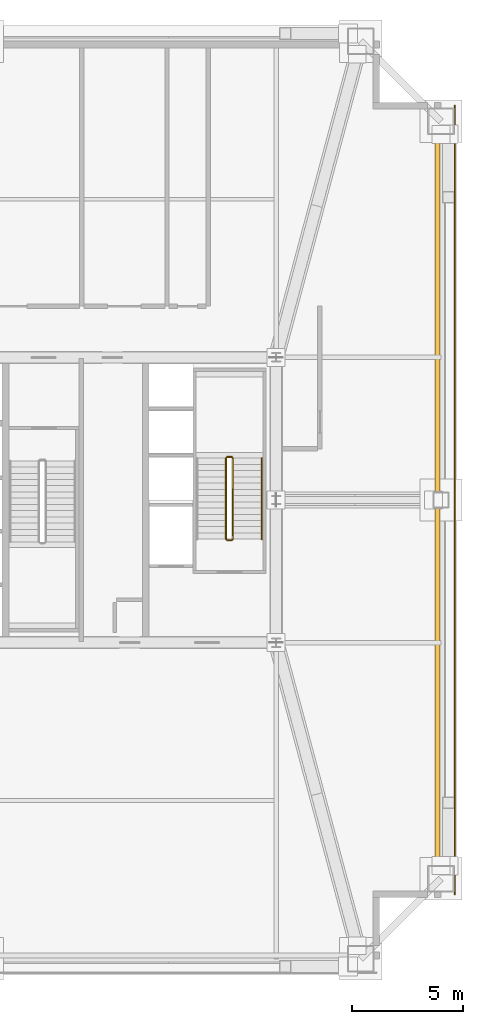
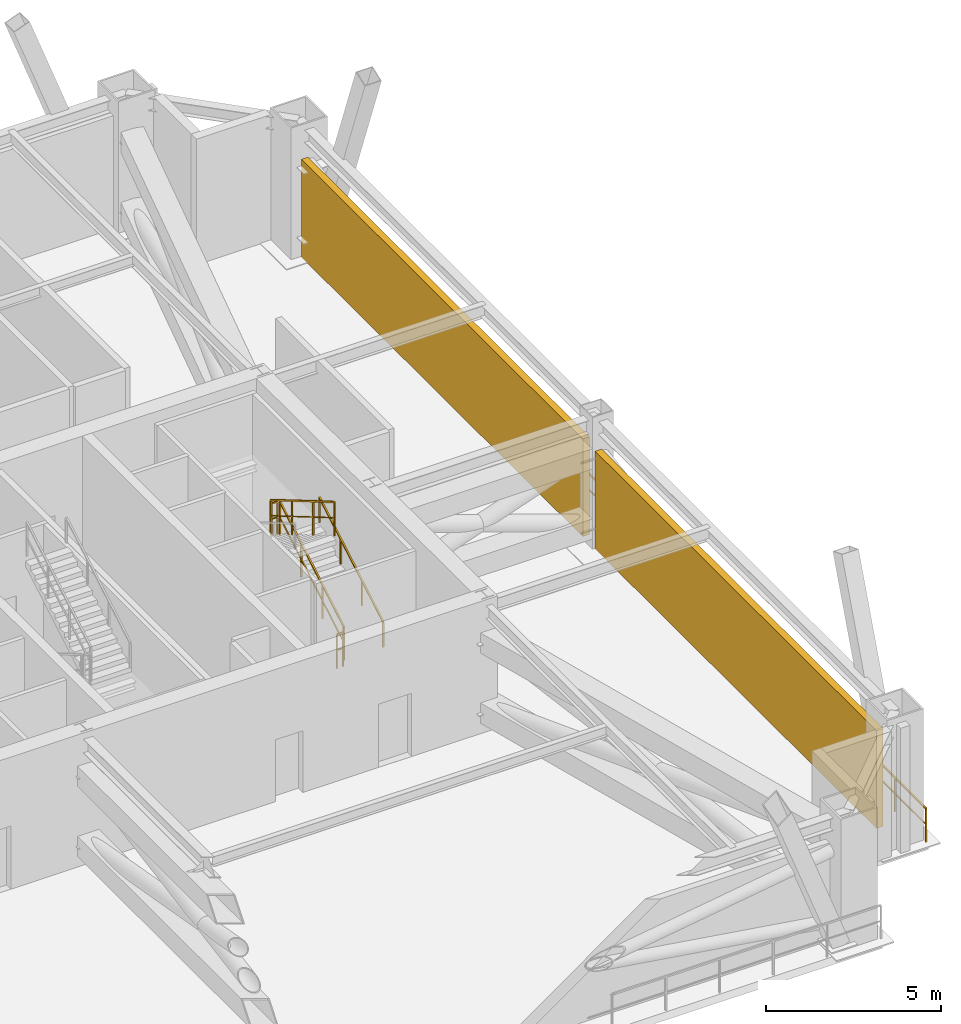
# One storey, part 9 of 9: 6 railings, 2 shading devices.
"""IFC4 building model written with IfcOpenShell, lengths in metres."""

from ifc_helpers import new_model, si_unit, direction, frame, origin, origin_2d, place, context, subcontext, project, spatial, rectangle, extrude, source, transform, mapped, material, layer, layer_set, type_object, element, save


model = new_model("IFC4")

# Units and contexts
model_context = context("Model", 3, precision=1e-05, world=origin(), true_north=direction((0.0, 1.0)))
body_context = subcontext(model_context, "Body", "Model", "MODEL_VIEW")
ifc_project = project(units=[si_unit("LENGTHUNIT", "METRE"), si_unit("AREAUNIT", "SQUARE_METRE"), si_unit("VOLUMEUNIT", "CUBIC_METRE"), si_unit("PLANEANGLEUNIT", "RADIAN"), si_unit("MASSUNIT", "GRAM", prefix="KILO"), si_unit("THERMODYNAMICTEMPERATUREUNIT", "KELVIN"), si_unit("POWERUNIT", "WATT")], contexts=[model_context])

# Site, building, storey
site_placement = place(None, origin())
site = spatial("IfcSite", under=ifc_project, at=site_placement, CompositionType="ELEMENT")
building_placement = place(site_placement, origin())
building = spatial("IfcBuilding", under=site, at=building_placement, Name="Yuzanri Waterfront Tower", CompositionType="ELEMENT")
storey_placement = place(building_placement, frame((0.0, 0.0, 219.5)))
storey = spatial("IfcBuildingStorey", under=building, at=storey_placement, Name="L58", CompositionType="ELEMENT", Elevation=219.5)

# Shading devices
ifc_material_1 = material(Name="Anodized Architectural Bronze", Category="metal")
ifc_layer_1 = layer(ifc_material_1, 0.219970703125)
ifc_layer_set_1 = layer_set([ifc_layer_1], Name="Anodized Architectural Bronze")
shading_device_type = type_object("IfcShadingDeviceType", Name="Anodized Bronze Refuge Wind-Diffusing Louvre Screen 220", PredefinedType="USERDEFINED", material=ifc_layer_set_1)
shared_shape_1 = source(origin(), body_context, "Body", "SweptSolid", [
    extrude(rectangle(XDim=0.219970703125, YDim=16.050048828125, at=origin_2d()), origin(), (0.0, 0.0, 1.0), 3.39990234375),
])
for number, where, z_axis, x_axis, name in (
    (1, (57.449951171875, 17.425048828125, 0.0), (0.0, 0.0, 1.0), (1.0, 0.0, 0.0), "L58 Wind-Diffusing Refuge Louvre EL"),
    (2, (57.449951171875, 34.175048828125, 0.0), (0.0, 0.0, 1.0), (1.0, 0.0, 0.0), "L58 Wind-Diffusing Refuge Louvre ER"),
):
    element("IfcShadingDevice", number, at=place(storey_placement, frame(where, z_axis=z_axis, x_axis=x_axis)), inside=storey, type_object=shading_device_type, Name=name, ObjectType="LOUVRE", PredefinedType="USERDEFINED", context=body_context, shape_type="MappedRepresentation", body=[
        mapped(shared_shape_1, transform((0.0, 0.0, 0.0), scale=1.0)),
    ])

# Railings
ifc_material_2 = material(Name="Anodized Architectural Bronze", Category="metal")
ifc_layer_2 = layer(ifc_material_2, 0.080078125)
ifc_layer_set_2 = layer_set([ifc_layer_2], Name="Anodized Architectural Bronze")
railing_type_1 = type_object("IfcRailingType", Name="Laminated Glass and Bronze Balcony Guardrail 1200", PredefinedType="BALUSTRADE", material=ifc_layer_set_2)
shared_shape_2 = source(origin(), body_context, "Body", "SweptSolid", [
    extrude(rectangle(XDim=0.050048828125, YDim=0.050048828125, at=origin_2d()), frame((0.0, 0.0, 1.1748046875), z_axis=(0.0, 1.0, 0.0), x_axis=(-1.0, 0.0, 0.0)), (0.0, 0.0, 1.0), 35.39990234375),
    extrude(rectangle(XDim=0.035888671875, YDim=0.030029296875, at=origin_2d()), frame((0.0, 0.0, 0.6240234375), z_axis=(0.0, 1.0, 0.0), x_axis=(-1.0, 0.0, 0.0)), (0.0, 0.0, 1.0), 35.39990234375),
    extrude(rectangle(XDim=0.0458984375, YDim=0.0458984375, at=origin_2d()), origin(), (0.0, 0.0, 1.0), 1.14990234375),
    extrude(rectangle(XDim=0.0458984375, YDim=0.0458984375, at=origin_2d()), frame((0.0, 1.77001953125, 0.0)), (0.0, 0.0, 1.0), 1.14990234375),
    extrude(rectangle(XDim=0.0458984375, YDim=0.0458984375, at=origin_2d()), frame((0.0, 3.5400390625, 0.0)), (0.0, 0.0, 1.0), 1.14990234375),
    extrude(rectangle(XDim=0.0458984375, YDim=0.0458984375, at=origin_2d()), frame((0.0, 5.31005859375, 0.0)), (0.0, 0.0, 1.0), 1.14990234375),
    extrude(rectangle(XDim=0.0458984375, YDim=0.0458984375, at=origin_2d()), frame((0.0, 7.080078125, 0.0)), (0.0, 0.0, 1.0), 1.14990234375),
    extrude(rectangle(XDim=0.0458984375, YDim=0.0458984375, at=origin_2d()), frame((0.0, 8.85009765625, 0.0)), (0.0, 0.0, 1.0), 1.14990234375),
    extrude(rectangle(XDim=0.0458984375, YDim=0.0458984375, at=origin_2d()), frame((0.0, 10.619873046875, 0.0)), (0.0, 0.0, 1.0), 1.14990234375),
    extrude(rectangle(XDim=0.0458984375, YDim=0.0458984375, at=origin_2d()), frame((0.0, 12.389892578125, 0.0)), (0.0, 0.0, 1.0), 1.14990234375),
    extrude(rectangle(XDim=0.0458984375, YDim=0.0458984375, at=origin_2d()), frame((0.0, 14.159912109375, 0.0)), (0.0, 0.0, 1.0), 1.14990234375),
    extrude(rectangle(XDim=0.0458984375, YDim=0.0458984375, at=origin_2d()), frame((0.0, 15.929931640625, 0.0)), (0.0, 0.0, 1.0), 1.14990234375),
    extrude(rectangle(XDim=0.0458984375, YDim=0.0458984375, at=origin_2d()), frame((0.0, 17.699951171875, 0.0)), (0.0, 0.0, 1.0), 1.14990234375),
    extrude(rectangle(XDim=0.0458984375, YDim=0.0458984375, at=origin_2d()), frame((0.0, 19.469970703125, 0.0)), (0.0, 0.0, 1.0), 1.14990234375),
    extrude(rectangle(XDim=0.0458984375, YDim=0.0458984375, at=origin_2d()), frame((0.0, 21.239990234375, 0.0)), (0.0, 0.0, 1.0), 1.14990234375),
    extrude(rectangle(XDim=0.0458984375, YDim=0.0458984375, at=origin_2d()), frame((0.0, 23.010009765625, 0.0)), (0.0, 0.0, 1.0), 1.14990234375),
    extrude(rectangle(XDim=0.0458984375, YDim=0.0458984375, at=origin_2d()), frame((0.0, 24.780029296875, 0.0)), (0.0, 0.0, 1.0), 1.14990234375),
    extrude(rectangle(XDim=0.0458984375, YDim=0.0458984375, at=origin_2d()), frame((0.0, 26.5498046875, 0.0)), (0.0, 0.0, 1.0), 1.14990234375),
    extrude(rectangle(XDim=0.0458984375, YDim=0.0458984375, at=origin_2d()), frame((0.0, 28.31982421875, 0.0)), (0.0, 0.0, 1.0), 1.14990234375),
    extrude(rectangle(XDim=0.0458984375, YDim=0.0458984375, at=origin_2d()), frame((0.0, 30.08984375, 0.0)), (0.0, 0.0, 1.0), 1.14990234375),
    extrude(rectangle(XDim=0.0458984375, YDim=0.0458984375, at=origin_2d()), frame((0.0, 31.85986328125, 0.0)), (0.0, 0.0, 1.0), 1.14990234375),
    extrude(rectangle(XDim=0.0458984375, YDim=0.0458984375, at=origin_2d()), frame((0.0, 33.6298828125, 0.0)), (0.0, 0.0, 1.0), 1.14990234375),
    extrude(rectangle(XDim=0.0458984375, YDim=0.0458984375, at=origin_2d()), frame((0.0, 35.39990234375, 0.0)), (0.0, 0.0, 1.0), 1.14990234375),
])
railing_1_placement = place(storey_placement, frame((58.219970703125, 8.10009765625, 0.0)))
element("IfcRailing", 3, at=railing_1_placement, inside=storey, type_object=railing_type_1, Name="L58 East Refuge Edge Guard", PredefinedType="BALUSTRADE", context=body_context, shape_type="MappedRepresentation", body=[
    mapped(shared_shape_2, transform((0.0, 0.0, 0.0), scale=1.0)),
])
ifc_material_3 = material(Name="Painted Galvanized Fire Steel", Category="steel")
ifc_layer_3 = layer(ifc_material_3, 0.06005859375)
ifc_layer_set_3 = layer_set([ifc_layer_3], Name="Painted Galvanized Fire Steel")
railing_type_2 = type_object("IfcRailingType", Name="Painted Steel Stairwell Guardrail 1120", PredefinedType="GUARDRAIL", material=ifc_layer_set_3)
shared_shape_3 = source(origin(), body_context, "Body", "SweptSolid", [
    extrude(rectangle(XDim=0.050048828125, YDim=0.050048828125, at=origin_2d()), frame((0.0, 0.0, 1.1748046875), z_axis=(-1.0, 0.0, 0.0), x_axis=(0.0, -1.0, 0.0)), (0.0, 0.0, 1.0), 0.199951171875),
    extrude(rectangle(XDim=0.035888671875, YDim=0.030029296875, at=origin_2d()), frame((0.0, 0.0, 0.6240234375), z_axis=(-1.0, 0.0, 0.0), x_axis=(0.0, -1.0, 0.0)), (0.0, 0.0, 1.0), 0.199951171875),
    extrude(rectangle(XDim=0.0458984375, YDim=0.0458984375, at=origin_2d()), origin(), (0.0, 0.0, 1.0), 1.14990234375),
    extrude(rectangle(XDim=0.0458984375, YDim=0.0458984375, at=origin_2d()), frame((-0.199951171875, 0.0, 0.0)), (0.0, 0.0, 1.0), 1.14990234375),
])
for number, where, name in (
    (4, (48.199951171875, 27.72998046875, 2.300048828125), "L58 ST-02 stair guard 2"),
    (5, (48.199951171875, 23.989990234375, 0.0), "L58 ST-02 stair guard 4"),
):
    element("IfcRailing", number, at=place(storey_placement, frame(where)), inside=storey, type_object=railing_type_2, Name=name, PredefinedType="GUARDRAIL", context=body_context, shape_type="MappedRepresentation", body=[
        mapped(shared_shape_3, transform((0.0, 0.0, 0.0), scale=1.0)),
    ])
shared_shape_4 = source(origin(), body_context, "Body", "SweptSolid", [
    extrude(rectangle(XDim=0.050048828125, YDim=0.050048828125, at=origin_2d()), frame((0.0, 0.0, 1.1748046875), z_axis=(0.0, 0.862489892076, 0.506074289079), x_axis=(-1.0, 0.0, 0.0)), (0.0, 0.0, 1.0), 4.22021484375),
    extrude(rectangle(XDim=0.035888671875, YDim=0.030029296875, at=origin_2d()), frame((0.0, 0.0, 0.6240234375), z_axis=(0.0, 0.862489892076, 0.506074289079), x_axis=(-1.0, 0.0, 0.0)), (0.0, 0.0, 1.0), 4.22021484375),
    extrude(rectangle(XDim=0.0458984375, YDim=0.0458984375, at=origin_2d()), origin(), (0.0, 0.0, 1.0), 1.14990234375),
    extrude(rectangle(XDim=0.0458984375, YDim=0.0458984375, at=origin_2d()), frame((0.0, 1.21337890625, 0.7119140625)), (0.0, 0.0, 1.0), 1.14990234375),
    extrude(rectangle(XDim=0.0458984375, YDim=0.0458984375, at=origin_2d()), frame((0.0, 2.426513671875, 1.423828125)), (0.0, 0.0, 1.0), 1.14990234375),
    extrude(rectangle(XDim=0.0458984375, YDim=0.0458984375, at=origin_2d()), frame((0.0, 3.639892578125, 2.1357421875)), (0.0, 0.0, 1.0), 1.14990234375),
])
railing_2_placement = place(storey_placement, frame((48.25, 24.0400390625, 0.164306640625)))
element("IfcRailing", 6, at=railing_2_placement, inside=storey, type_object=railing_type_2, Name="L58 ST-02 stair guard 1", PredefinedType="GUARDRAIL", context=body_context, shape_type="MappedRepresentation", body=[
    mapped(shared_shape_4, transform((0.0, 0.0, 0.0), scale=1.0)),
])
shared_shape_5 = source(origin(), body_context, "Body", "SweptSolid", [
    extrude(rectangle(XDim=0.050048828125, YDim=0.050048828125, at=origin_2d()), frame((0.0, 0.0, 1.1748046875), z_axis=(0.0, -0.862489892076, 0.506074289079), x_axis=(1.0, 0.0, 0.0)), (0.0, 0.0, 1.0), 4.22021484375),
    extrude(rectangle(XDim=0.035888671875, YDim=0.030029296875, at=origin_2d()), frame((0.0, 0.0, 0.6240234375), z_axis=(0.0, -0.862489892076, 0.506074289079), x_axis=(1.0, 0.0, 0.0)), (0.0, 0.0, 1.0), 4.22021484375),
    extrude(rectangle(XDim=0.0458984375, YDim=0.0458984375, at=origin_2d()), origin(), (0.0, 0.0, 1.0), 1.14990234375),
    extrude(rectangle(XDim=0.0458984375, YDim=0.0458984375, at=origin_2d()), frame((0.0, -1.21337890625, 0.7119140625)), (0.0, 0.0, 1.0), 1.14990234375),
    extrude(rectangle(XDim=0.0458984375, YDim=0.0458984375, at=origin_2d()), frame((0.0, -2.426513671875, 1.423828125)), (0.0, 0.0, 1.0), 1.14990234375),
    extrude(rectangle(XDim=0.0458984375, YDim=0.0458984375, at=origin_2d()), frame((0.0, -3.639892578125, 2.1357421875)), (0.0, 0.0, 1.0), 1.14990234375),
])
railing_3_placement = place(storey_placement, frame((47.949951171875, 27.679931640625, 2.46435546875)))
element("IfcRailing", 7, at=railing_3_placement, inside=storey, type_object=railing_type_2, Name="L58 ST-02 stair guard 3", PredefinedType="GUARDRAIL", context=body_context, shape_type="MappedRepresentation", body=[
    mapped(shared_shape_5, transform((0.0, 0.0, 0.0), scale=1.0)),
])
ifc_material_4 = material(Name="Anodized Architectural Bronze", Category="metal")
ifc_layer_4 = layer(ifc_material_4, 0.050048828125)
ifc_layer_set_4 = layer_set([ifc_layer_4], Name="Anodized Architectural Bronze")
railing_type_3 = type_object("IfcRailingType", Name="Brushed Bronze Stair Pitch Handrail 920", PredefinedType="HANDRAIL", material=ifc_layer_set_4)
shared_shape_6 = source(origin(), body_context, "Body", "SweptSolid", [
    extrude(rectangle(XDim=0.050048828125, YDim=0.050048828125, at=origin_2d()), frame((0.0, 0.0, 0.875), z_axis=(0.0, 0.862489892076, 0.506074289079), x_axis=(-1.0, 0.0, 0.0)), (0.0, 0.0, 1.0), 4.22021484375),
    extrude(rectangle(XDim=0.0458984375, YDim=0.0458984375, at=origin_2d()), origin(), (0.0, 0.0, 1.0), 0.849853515625),
    extrude(rectangle(XDim=0.0458984375, YDim=0.0458984375, at=origin_2d()), frame((0.0, 1.21337890625, 0.7119140625)), (0.0, 0.0, 1.0), 0.849853515625),
    extrude(rectangle(XDim=0.0458984375, YDim=0.0458984375, at=origin_2d()), frame((0.0, 2.426513671875, 1.423828125)), (0.0, 0.0, 1.0), 0.849853515625),
    extrude(rectangle(XDim=0.0458984375, YDim=0.0458984375, at=origin_2d()), frame((0.0, 3.639892578125, 2.1357421875)), (0.0, 0.0, 1.0), 0.849853515625),
])
railing_4_placement = place(storey_placement, frame((49.550048828125, 24.0400390625, 0.164306640625)))
element("IfcRailing", 8, at=railing_4_placement, inside=storey, type_object=railing_type_3, Name="L58 ST-02 stair handrail 1", PredefinedType="HANDRAIL", context=body_context, shape_type="MappedRepresentation", body=[
    mapped(shared_shape_6, transform((0.0, 0.0, 0.0), scale=1.0)),
])

save(model, "model.ifc")
